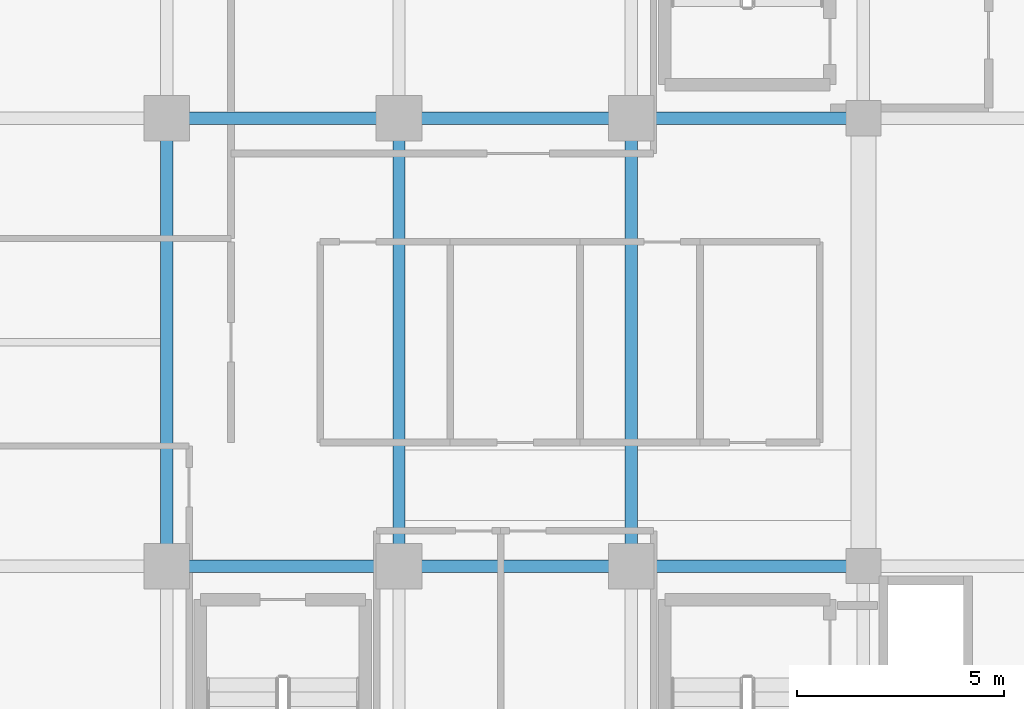
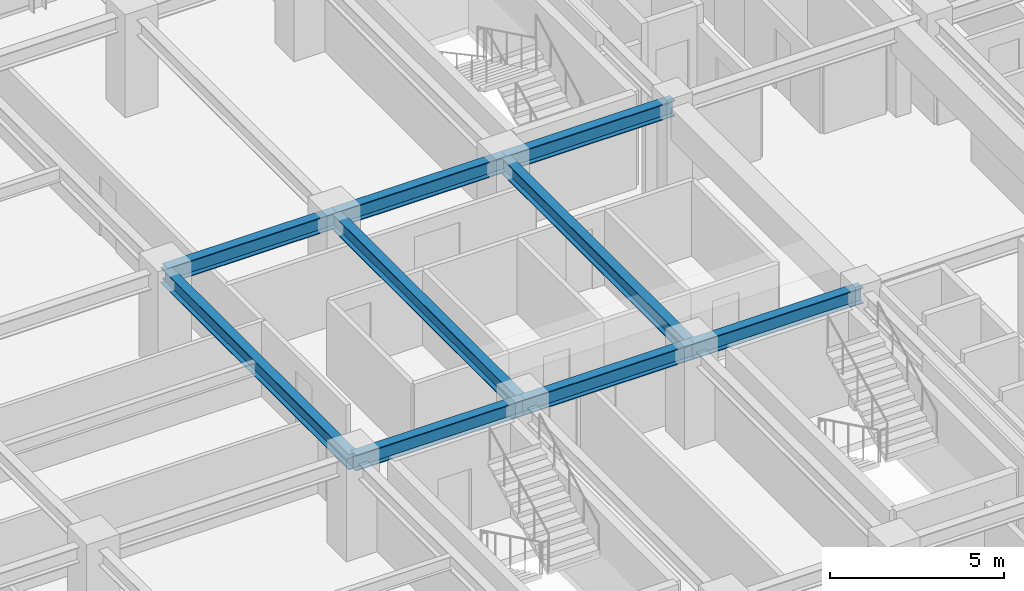
# One storey, part 9 of 32: 9 beams.
"""IFC4 building model written with IfcOpenShell, lengths in metres."""

from ifc_helpers import new_model, si_unit, direction, frame, origin, origin_2d, place, context, subcontext, project, spatial, i_section, extrude, source, transform, mapped, material, material_profile, profile_set, type_object, element, save


model = new_model("IFC4")

# Units and contexts
model_context = context("Model", 3, precision=1e-05, world=origin(), true_north=direction((0.0, 1.0)))
body_context = subcontext(model_context, "Body", "Model", "MODEL_VIEW")
ifc_project = project(units=[si_unit("LENGTHUNIT", "METRE"), si_unit("AREAUNIT", "SQUARE_METRE"), si_unit("VOLUMEUNIT", "CUBIC_METRE"), si_unit("PLANEANGLEUNIT", "RADIAN"), si_unit("MASSUNIT", "GRAM", prefix="KILO")], contexts=[model_context])

# Site, building, storey
site_placement = place(None, origin())
site = spatial("IfcSite", under=ifc_project, at=site_placement, CompositionType="ELEMENT")
building_placement = place(site_placement, origin())
building = spatial("IfcBuilding", under=site, at=building_placement, Name="Nahalor Promenade Grand Hotel", CompositionType="ELEMENT")
storey_placement = place(building_placement, frame((0.0, 0.0, 196.449951171875)))
storey = spatial("IfcBuildingStorey", under=building, at=storey_placement, Name="L50", CompositionType="ELEMENT", Elevation=196.449951171875)

# Beams
ifc_material = material(Name="Steel S355JR", Category="steel")
ifc_material_profile = material_profile(ifc_material, i_section(OverallWidth=0.3, OverallDepth=0.55, WebThickness=0.015, FlangeThickness=0.029, at=origin_2d()), Name="HEB 550")
ifc_profile_set = profile_set([ifc_material_profile], Name="Steel S355JR")
beam_type = type_object("IfcBeamType", Name="Beam-Girder-HEB550", PredefinedType="BEAM", material=ifc_profile_set)
shared_shape_1 = source(origin(), body_context, "Body", "SweptSolid", [
    extrude(i_section(OverallWidth=0.3, OverallDepth=0.55, WebThickness=0.015, FlangeThickness=0.029, at=origin_2d()), origin(), (0.0, 0.0, 1.0), 5.599853515625),
])
for number, where, z_axis, x_axis, name in (
    (1, (-8.39990234375, -5.39990234375, 3.01513671875), (1.0, 0.0, 0.0), (0.0, 1.0, 0.0), "BM-L50-GX-1-2"),
    (2, (2.800048828125, -5.39990234375, 3.01513671875), (1.0, 0.0, 0.0), (0.0, 1.0, 0.0), "BM-L50-GX-1-4"),
    (3, (-8.39990234375, 5.39990234375, 3.01513671875), (1.0, 0.0, 0.0), (0.0, 1.0, 0.0), "BM-L50-GX-2-2"),
    (4, (2.800048828125, 5.39990234375, 3.01513671875), (1.0, 0.0, 0.0), (0.0, 1.0, 0.0), "BM-L50-GX-2-4"),
):
    element("IfcBeam", number, at=place(storey_placement, frame(where, z_axis=z_axis, x_axis=x_axis)), inside=storey, type_object=beam_type, Name=name, PredefinedType="BEAM", context=body_context, shape_type="MappedRepresentation", body=[
        mapped(shared_shape_1, transform((0.0, 0.0, 0.0), scale=1.0)),
    ])
shared_shape_2 = source(origin(), body_context, "Body", "SweptSolid", [
    extrude(i_section(OverallWidth=0.3, OverallDepth=0.55, WebThickness=0.015, FlangeThickness=0.029, at=origin_2d()), origin(), (0.0, 0.0, 1.0), 5.60009765625),
])
for number, where, z_axis, x_axis, name in (
    (5, (-2.800048828125, -5.39990234375, 3.01513671875), (1.0, 0.0, 0.0), (0.0, 1.0, 0.0), "BM-L50-GX-1-3"),
    (6, (-2.800048828125, 5.39990234375, 3.01513671875), (1.0, 0.0, 0.0), (0.0, 1.0, 0.0), "BM-L50-GX-2-3"),
):
    element("IfcBeam", number, at=place(storey_placement, frame(where, z_axis=z_axis, x_axis=x_axis)), inside=storey, type_object=beam_type, Name=name, PredefinedType="BEAM", context=body_context, shape_type="MappedRepresentation", body=[
        mapped(shared_shape_2, transform((0.0, 0.0, 0.0), scale=1.0)),
    ])
shared_shape_3 = source(origin(), body_context, "Body", "SweptSolid", [
    extrude(i_section(OverallWidth=0.3, OverallDepth=0.55, WebThickness=0.015, FlangeThickness=0.029, at=origin_2d()), origin(), (0.0, 0.0, 1.0), 10.7998046875),
])
for number, where, z_axis, x_axis, name in (
    (7, (-8.39990234375, -5.39990234375, 3.01513671875), (0.0, 1.0, 0.0), (-1.0, 0.0, 0.0), "BM-L50-GY-1-2"),
    (8, (-2.800048828125, -5.39990234375, 3.01513671875), (0.0, 1.0, 0.0), (-1.0, 0.0, 0.0), "BM-L50-GY-2-2"),
    (9, (2.800048828125, -5.39990234375, 3.01513671875), (0.0, 1.0, 0.0), (-1.0, 0.0, 0.0), "BM-L50-GY-3-2"),
):
    element("IfcBeam", number, at=place(storey_placement, frame(where, z_axis=z_axis, x_axis=x_axis)), inside=storey, type_object=beam_type, Name=name, PredefinedType="BEAM", context=body_context, shape_type="MappedRepresentation", body=[
        mapped(shared_shape_3, transform((0.0, 0.0, 0.0), scale=1.0)),
    ])

save(model, "model.ifc")
